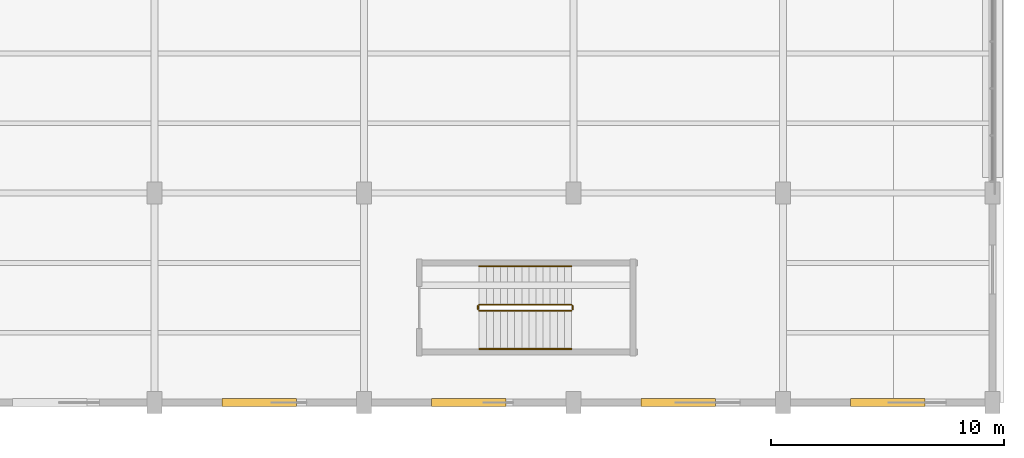
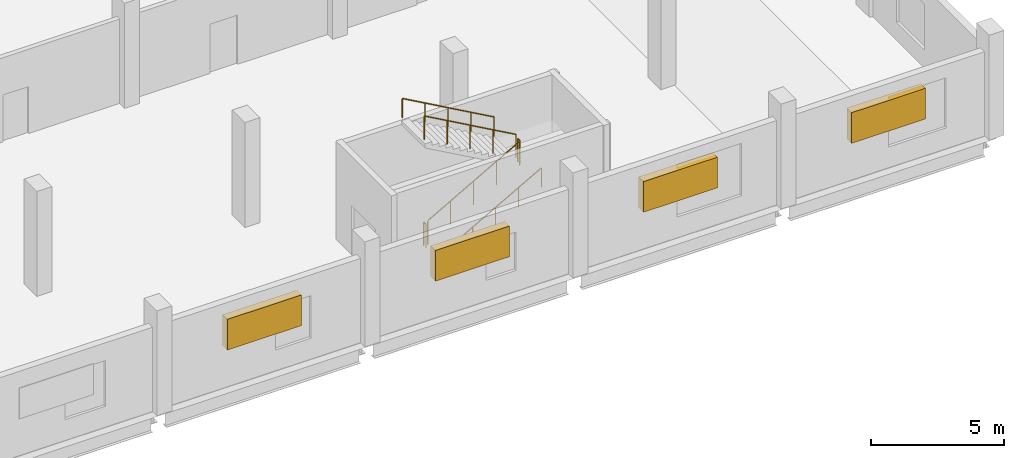
# One storey, part 150 of 179: 6 railings, 4 shading devices.
"""IFC4 building model written with IfcOpenShell, lengths in metres."""

from ifc_helpers import new_model, si_unit, direction, frame, origin, origin_2d, place, context, subcontext, project, spatial, rectangle, circle, extrude, material, layer, layer_set, type_object, element, save


model = new_model("IFC4")

# Units and contexts
model_context = context("Model", 3, precision=1e-05, world=origin(), true_north=direction((0.0, 1.0)))
body_context = subcontext(model_context, "Body", "Model", "MODEL_VIEW")
ifc_project = project(units=[si_unit("LENGTHUNIT", "METRE"), si_unit("AREAUNIT", "SQUARE_METRE"), si_unit("VOLUMEUNIT", "CUBIC_METRE"), si_unit("PLANEANGLEUNIT", "RADIAN"), si_unit("MASSUNIT", "GRAM", prefix="KILO")], contexts=[model_context])

# Site, building, storey
site_placement = place(None, origin())
site = spatial("IfcSite", under=ifc_project, at=site_placement, CompositionType="ELEMENT")
building_placement = place(site_placement, origin())
building = spatial("IfcBuilding", under=site, at=building_placement, Name="Zevraka Park Crest Stadium", CompositionType="ELEMENT")
storey_placement = place(building_placement, frame((0.0, 0.0, 10.199951171875)))
storey = spatial("IfcBuildingStorey", under=building, at=storey_placement, Name="L02", CompositionType="ELEMENT", Elevation=10.199951171875)

# Railings
ifc_material_1 = material(Name="Powder-coated tubular steel stairwell guard", Category="steel")
railing_type_1 = type_object("IfcRailingType", Name="GR03", PredefinedType="GUARDRAIL", material=ifc_material_1)
railing_1_placement = place(storey_placement, frame((201.949951171875, 3.949951171875, 0.17138671875)))
element("IfcRailing", 1, at=railing_1_placement, inside=storey, type_object=railing_type_1, Name="L02 ST54 stair guard 1", PredefinedType="GUARDRAIL", context=body_context, shape_type="SweptSolid", body=[
    extrude(circle(Radius=0.02392578125, at=origin_2d()), frame((0.0, 0.0, 1.076171875), z_axis=(0.871726007364, 0.0, 0.489993640861), x_axis=(0.0, 1.0, 0.0)), (0.0, 0.0, 1.0), 4.548583984375),
    extrude(circle(Radius=0.02099609375, at=origin_2d()), origin(), (0.0, 0.0, 1.0), 1.052001953125),
    extrude(circle(Radius=0.02099609375, at=origin_2d()), frame((0.9912109375, 0.0, 0.55712890625)), (0.0, 0.0, 1.0), 1.052001953125),
    extrude(circle(Radius=0.02099609375, at=origin_2d()), frame((1.982421875, 0.0, 1.1142578125)), (0.0, 0.0, 1.0), 1.052001953125),
    extrude(circle(Radius=0.02099609375, at=origin_2d()), frame((2.973876953125, 0.0, 1.671630859375)), (0.0, 0.0, 1.0), 1.052001953125),
    extrude(circle(Radius=0.02099609375, at=origin_2d()), frame((3.965087890625, 0.0, 2.228759765625)), (0.0, 0.0, 1.0), 1.052001953125),
])
railing_2_placement = place(storey_placement, frame((205.965087890625, 4.0, 2.400146484375)))
element("IfcRailing", 2, at=railing_2_placement, inside=storey, type_object=railing_type_1, Name="L02 ST54 stair guard 2", PredefinedType="GUARDRAIL", context=body_context, shape_type="SweptSolid", body=[
    extrude(circle(Radius=0.02392578125, at=origin_2d()), frame((0.0, 0.0, 1.076171875), z_axis=(0.0, 1.0, 0.0), x_axis=(-1.0, 0.0, 0.0)), (0.0, 0.0, 1.0), 0.159912109375),
    extrude(circle(Radius=0.02099609375, at=origin_2d()), origin(), (0.0, 0.0, 1.0), 1.052001953125),
    extrude(circle(Radius=0.02099609375, at=origin_2d()), frame((0.0, 0.159912109375, 0.0)), (0.0, 0.0, 1.0), 1.052001953125),
])
railing_3_placement = place(storey_placement, frame((205.9150390625, 4.2099609375, 2.571533203125)))
element("IfcRailing", 3, at=railing_3_placement, inside=storey, type_object=railing_type_1, Name="L02 ST54 stair guard 3", PredefinedType="GUARDRAIL", context=body_context, shape_type="SweptSolid", body=[
    extrude(circle(Radius=0.02392578125, at=origin_2d()), frame((0.0, 0.0, 1.076171875), z_axis=(-0.871748933509, 0.0, 0.489952851738), x_axis=(0.0, -1.0, 0.0)), (0.0, 0.0, 1.0), 4.54833984375),
    extrude(circle(Radius=0.02099609375, at=origin_2d()), origin(), (0.0, 0.0, 1.0), 1.052001953125),
    extrude(circle(Radius=0.02099609375, at=origin_2d()), frame((-0.9912109375, 0.0, 0.55712890625)), (0.0, 0.0, 1.0), 1.052001953125),
    extrude(circle(Radius=0.02099609375, at=origin_2d()), frame((-1.982421875, 0.0, 1.1142578125)), (0.0, 0.0, 1.0), 1.052001953125),
    extrude(circle(Radius=0.02099609375, at=origin_2d()), frame((-2.973876953125, 0.0, 1.67138671875)), (0.0, 0.0, 1.0), 1.052001953125),
    extrude(circle(Radius=0.02099609375, at=origin_2d()), frame((-3.965087890625, 0.0, 2.228515625)), (0.0, 0.0, 1.0), 1.052001953125),
])
railing_4_placement = place(storey_placement, frame((201.89990234375, 4.0, 0.0)))
element("IfcRailing", 4, at=railing_4_placement, inside=storey, type_object=railing_type_1, Name="L02 ST54 stair guard 4", PredefinedType="GUARDRAIL", context=body_context, shape_type="SweptSolid", body=[
    extrude(circle(Radius=0.02392578125, at=origin_2d()), frame((0.0, 0.0, 1.076171875), z_axis=(0.0, 1.0, 0.0), x_axis=(-1.0, 0.0, 0.0)), (0.0, 0.0, 1.0), 0.159912109375),
    extrude(circle(Radius=0.02099609375, at=origin_2d()), origin(), (0.0, 0.0, 1.0), 1.052001953125),
    extrude(circle(Radius=0.02099609375, at=origin_2d()), frame((0.0, 0.159912109375, 0.0)), (0.0, 0.0, 1.0), 1.052001953125),
])
ifc_material_2 = material(Name="Brushed stainless steel continuous handrail", Category="steel")
railing_type_2 = type_object("IfcRailingType", Name="HR01", PredefinedType="HANDRAIL", material=ifc_material_2)
railing_5_placement = place(storey_placement, frame((201.949951171875, 2.300048828125, 0.17138671875)))
element("IfcRailing", 5, at=railing_5_placement, inside=storey, type_object=railing_type_2, Name="L02 ST54 stair handrail 1", PredefinedType="HANDRAIL", context=body_context, shape_type="SweptSolid", body=[
    extrude(circle(Radius=0.02392578125, at=origin_2d()), frame((0.0, 0.0, 0.8759765625), z_axis=(0.871726007364, 0.0, 0.489993640861), x_axis=(0.0, 1.0, 0.0)), (0.0, 0.0, 1.0), 4.548583984375),
    extrude(circle(Radius=0.02099609375, at=origin_2d()), origin(), (0.0, 0.0, 1.0), 0.851806640625),
    extrude(circle(Radius=0.02099609375, at=origin_2d()), frame((0.9912109375, 0.0, 0.55712890625)), (0.0, 0.0, 1.0), 0.851806640625),
    extrude(circle(Radius=0.02099609375, at=origin_2d()), frame((1.982421875, 0.0, 1.1142578125)), (0.0, 0.0, 1.0), 0.851806640625),
    extrude(circle(Radius=0.02099609375, at=origin_2d()), frame((2.973876953125, 0.0, 1.671630859375)), (0.0, 0.0, 1.0), 0.851806640625),
    extrude(circle(Radius=0.02099609375, at=origin_2d()), frame((3.965087890625, 0.0, 2.228759765625)), (0.0, 0.0, 1.0), 0.851806640625),
])
railing_6_placement = place(storey_placement, frame((205.9150390625, 5.860107421875, 2.571533203125)))
element("IfcRailing", 6, at=railing_6_placement, inside=storey, type_object=railing_type_2, Name="L02 ST54 stair handrail 2", PredefinedType="HANDRAIL", context=body_context, shape_type="SweptSolid", body=[
    extrude(circle(Radius=0.02392578125, at=origin_2d()), frame((0.0, 0.0, 0.8759765625), z_axis=(-0.871748933509, 0.0, 0.489952851738), x_axis=(0.0, -1.0, 0.0)), (0.0, 0.0, 1.0), 4.54833984375),
    extrude(circle(Radius=0.02099609375, at=origin_2d()), origin(), (0.0, 0.0, 1.0), 0.851806640625),
    extrude(circle(Radius=0.02099609375, at=origin_2d()), frame((-0.9912109375, 0.0, 0.55712890625)), (0.0, 0.0, 1.0), 0.851806640625),
    extrude(circle(Radius=0.02099609375, at=origin_2d()), frame((-1.982421875, 0.0, 1.1142578125)), (0.0, 0.0, 1.0), 0.851806640625),
    extrude(circle(Radius=0.02099609375, at=origin_2d()), frame((-2.973876953125, 0.0, 1.67138671875)), (0.0, 0.0, 1.0), 0.851806640625),
    extrude(circle(Radius=0.02099609375, at=origin_2d()), frame((-3.965087890625, 0.0, 2.228515625)), (0.0, 0.0, 1.0), 0.851806640625),
])

# Shading devices
ifc_material_3 = material(Name="Terracotta and bronze acoustic ventilation louvre", Category="masonry")
ifc_layer = layer(ifc_material_3, 0.080078125)
ifc_layer_set = layer_set([ifc_layer], Name="Terracotta and bronze acoustic ventilation louvre")
shading_device_type = type_object("IfcShadingDeviceType", Name="LVR01", PredefinedType="USERDEFINED", material=ifc_layer_set)
for number, where, z_axis, x_axis, name in (
    (7, (219.5, 0.0, 1.7001953125), (0.0, 0.0, 1.0), (-1.0, 0.0, 0.0), "Plant Ventilation Louvre LVR01 L02-1"),
    (8, (210.5, 0.0, 1.7001953125), (0.0, 0.0, 1.0), (-1.0, 0.0, 0.0), "Plant Ventilation Louvre LVR01 L02-2"),
    (9, (201.5, 0.0, 1.7001953125), (0.0, 0.0, 1.0), (-1.0, 0.0, 0.0), "Plant Ventilation Louvre LVR01 L02-3"),
    (10, (192.5, 0.0, 1.7001953125), (0.0, 0.0, 1.0), (-1.0, 0.0, 0.0), "Plant Ventilation Louvre LVR01 L02-4"),
):
    element("IfcShadingDevice", number, at=place(storey_placement, frame(where, z_axis=z_axis, x_axis=x_axis)), inside=storey, type_object=shading_device_type, Name=name, ObjectType="LOUVRE", PredefinedType="USERDEFINED", context=body_context, shape_type="SweptSolid", body=[
        extrude(rectangle(XDim=3.199951171875, YDim=0.360107421875, at=origin_2d()), origin(), (0.0, 0.0, 1.0), 1.39990234375),
    ])

save(model, "model.ifc")
